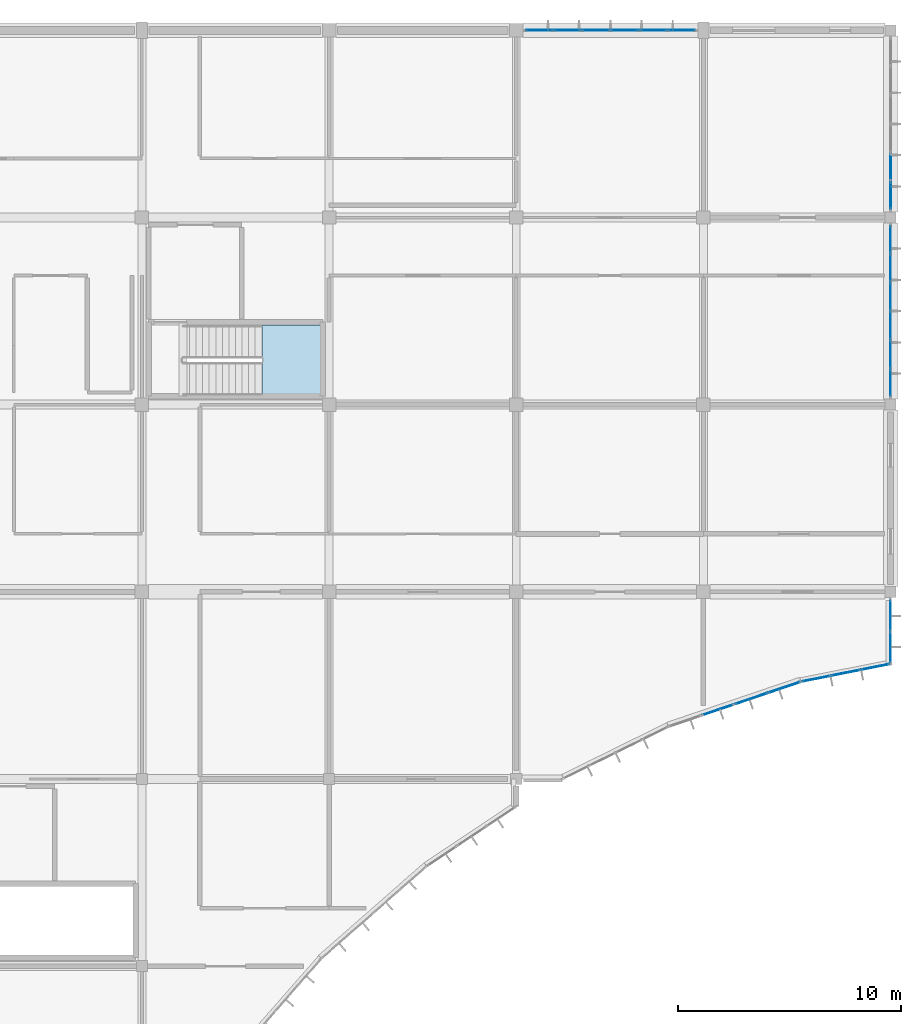
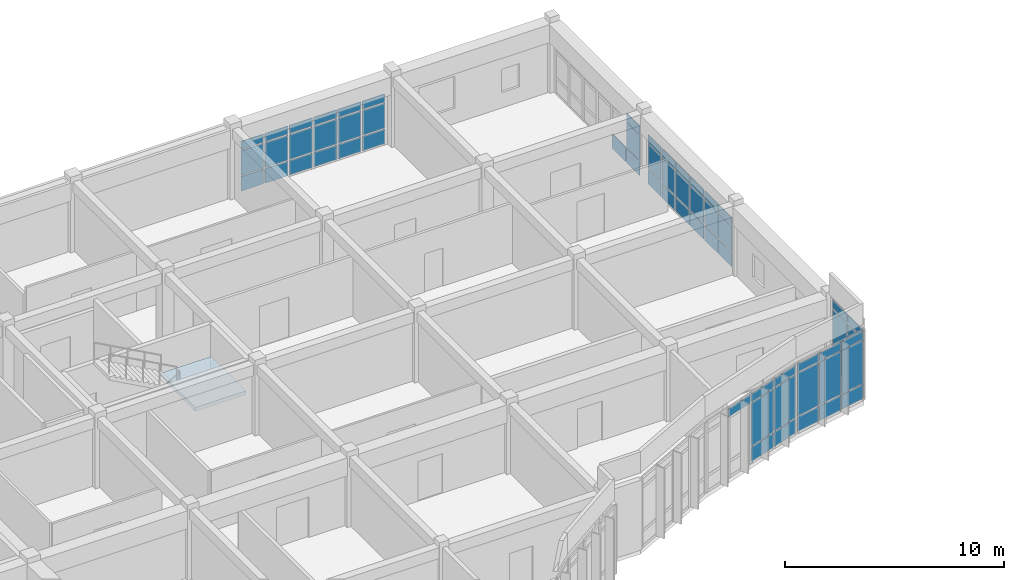
# One storey, part 74 of 119: 62 plates, 1 slab, 7 elements without a shape of their own.
"""IFC4 building model written with IfcOpenShell, lengths in metres."""

import ifcopenshell
import ifcopenshell.guid

model = None  # the IFC model being written
_history = None  # IfcOwnerHistory: only IFC2X3 demands one
_inside = {}  # id of a spatial element -> (the spatial element, [elements in it])
_under = {}  # id of a project, library or spatial element -> (it, [spatial elements below it])
_declared = {}  # id of a project -> (the project, [libraries it declares])
_typed = {}  # id of a type object -> (the type object, [elements of that type])
_made_of = {}  # id of a material, layer set ... -> (it, [elements and type objects made of it])


def new_model(schema):
    """Start an empty IFC model of exactly this schema.

    Asked for "IFC4X3", IfcOpenShell would pick the latest addendum, in which some entities
    have other attributes; the version numbers below select the first issue.
    IFC2X3 requires an IfcOwnerHistory on every rooted entity: one is made here for all.
    """
    global model, _history
    if schema == "IFC4X3":
        model = ifcopenshell.file(schema_version=(4, 3, 0, 0))
    else:
        model = ifcopenshell.file(schema=schema)
    _inside.clear()
    _under.clear()
    _declared.clear()
    _typed.clear()
    _made_of.clear()
    _history = None
    if model.schema == "IFC2X3":
        org = make("IfcOrganization", Name="unknown")
        user = make(
            "IfcPersonAndOrganization",
            ThePerson=make("IfcPerson", FamilyName="unknown"),
            TheOrganization=org,
        )
        app = make(
            "IfcApplication",
            ApplicationDeveloper=org,
            Version="unknown",
            ApplicationFullName="unknown",
            ApplicationIdentifier="unknown",
        )
        _history = make(
            "IfcOwnerHistory",
            OwningUser=user,
            OwningApplication=app,
            ChangeAction="ADDED",
            CreationDate=0,
        )
    return model


def make(cls, **values):
    """One entity of the class cls with the attributes given. An attribute that is None is left unset."""
    return model.create_entity(
        cls, **{name: value for name, value in values.items() if value is not None}
    )


def rooted(cls, **values):
    """An entity with a GlobalId (a new one), such as an element, a storey or a relation."""
    return make(cls, GlobalId=ifcopenshell.guid.new(), OwnerHistory=_history, **values)


def si_unit(unit_type, name, prefix=None):
    """IfcSIUnit, for example si_unit("LENGTHUNIT", "METRE", prefix="MILLI")."""
    return make("IfcSIUnit", UnitType=unit_type, Prefix=prefix, Name=name)


def assignment(units):
    """IfcUnitAssignment: the units of a project."""
    return None if units is None else make("IfcUnitAssignment", Units=units)


def point(xyz):
    """IfcCartesianPoint."""
    return None if xyz is None else make("IfcCartesianPoint", Coordinates=xyz)


def direction(xyz):
    """IfcDirection."""
    return None if xyz is None else make("IfcDirection", DirectionRatios=xyz)


def frame(location, z_axis=None, x_axis=None):
    """IfcAxis2Placement3D, a coordinate frame: its origin and axes. An axis left out is left unset."""
    return make(
        "IfcAxis2Placement3D",
        Location=point(location),
        Axis=direction(z_axis),
        RefDirection=direction(x_axis),
    )


def frame_2d(location, x_axis=None):
    """IfcAxis2Placement2D, a coordinate frame in the plane: its origin and x axis."""
    return make(
        "IfcAxis2Placement2D", Location=point(location), RefDirection=direction(x_axis)
    )


def origin():
    """The frame at (0, 0, 0) with its axes left unset."""
    return frame((0.0, 0.0, 0.0))


def origin_2d():
    """The frame at (0, 0) in the plane with its x axis left unset."""
    return frame_2d((0.0, 0.0))


def place(relative_to, where):
    """IfcLocalPlacement: puts the frame where relative to a parent placement (None: the world)."""
    return make(
        "IfcLocalPlacement", PlacementRelTo=relative_to, RelativePlacement=where
    )


def context(
    kind, dimensions, precision=None, world=None, true_north=None, identifier=None
):
    """IfcGeometricRepresentationContext, for example the 3D "Model" context."""
    return make(
        "IfcGeometricRepresentationContext",
        ContextIdentifier=identifier,
        ContextType=kind,
        CoordinateSpaceDimension=dimensions,
        Precision=precision,
        WorldCoordinateSystem=world,
        TrueNorth=true_north,
    )


def subcontext(parent, identifier, kind, view, scale=None):
    """IfcGeometricRepresentationSubContext, for example "Body" below "Model"."""
    return make(
        "IfcGeometricRepresentationSubContext",
        ContextIdentifier=identifier,
        ContextType=kind,
        ParentContext=parent,
        TargetScale=scale,
        TargetView=view,
    )


def project(units=None, contexts=None):
    """IfcProject with its units and contexts."""
    return rooted(
        "IfcProject",
        Name="project",
        RepresentationContexts=contexts,
        UnitsInContext=assignment(units),
    )


def spatial(cls, under=None, at=None, **own):
    """A site, building, storey or space (cls), placed at a placement, below another one or the project."""
    s = rooted(cls, ObjectPlacement=at, **own)
    if under is not None:
        _under.setdefault(under.id(), (under, []))[1].append(s)
    return s


def polyline(points):
    """IfcPolyline through the points."""
    return make("IfcPolyline", Points=[point(p) for p in points])


def profile(cls, at=None, kind="AREA", **sizes):
    """A parametric profile (cls). Its sizes go by their IFC names, for example OverallWidth=200.0."""
    return make(cls, ProfileType=kind, Position=at, **sizes)


def rectangle(**sizes):
    """IfcRectangleProfileDef."""
    return profile("IfcRectangleProfileDef", **sizes)


def outline(outer, holes=None, kind="AREA"):
    """IfcArbitraryClosedProfileDef: a profile drawn as a closed curve; with holes, ...WithVoids."""
    if holes is None:
        return make("IfcArbitraryClosedProfileDef", ProfileType=kind, OuterCurve=outer)
    return make(
        "IfcArbitraryProfileDefWithVoids",
        ProfileType=kind,
        OuterCurve=outer,
        InnerCurves=holes,
    )


def extrude(swept, where, along, depth):
    """IfcExtrudedAreaSolid: the profile swept, set in the frame where, extruded along a direction by depth."""
    return make(
        "IfcExtrudedAreaSolid",
        SweptArea=swept,
        Position=where,
        ExtrudedDirection=direction(along),
        Depth=depth,
    )


def shape(context_of_items, identifier, shape_type, items):
    """IfcShapeRepresentation: the items that make up one representation, for example the "Body"."""
    return make(
        "IfcShapeRepresentation",
        ContextOfItems=context_of_items,
        RepresentationIdentifier=identifier,
        RepresentationType=shape_type,
        Items=items,
    )


def material(Name=None, Category=None):
    """IfcMaterial."""
    return make("IfcMaterial", Name=Name, Category=Category)


def layer(
    of_material, thickness, ventilated=None, Name=None, Category=None, Priority=None
):
    """IfcMaterialLayer: one layer of a wall or slab, of a material (None: an air gap)."""
    return make(
        "IfcMaterialLayer",
        Material=of_material,
        LayerThickness=thickness,
        IsVentilated=ventilated,
        Name=Name,
        Category=Category,
        Priority=Priority,
    )


def layer_set(layers, Name=None):
    """IfcMaterialLayerSet."""
    return make("IfcMaterialLayerSet", MaterialLayers=layers, LayerSetName=Name)


def made_of(thing, what):
    """Note that an element or type object is made of a material, layer set ...; save() writes the relation."""
    if what is not None:
        _made_of.setdefault(what.id(), (what, []))[1].append(thing)
    return thing


def type_object(cls, material=None, **own):
    """A type object (cls), such as IfcWallType, which elements share."""
    return made_of(rooted(cls, **own), material)


def element(
    cls,
    number,
    at=None,
    inside=None,
    cuts=None,
    type_object=None,
    material=None,
    context=None,
    identifier="Body",
    shape_type=None,
    held_by="IfcProductDefinitionShape",
    body=None,
    shapes=None,
    **own,
):
    """One element of the class cls, such as IfcWall. Its Tag is "e" and its number.

    at: its placement. inside: the storey or other place that contains it. cuts: it is an
    opening in that element (IfcRelVoidsElement). A single representation is given by context,
    identifier, shape_type and body (its items); several are given by shapes. held_by: the class
    of the entity that holds the representations. save() writes the other relations.
    """
    e = rooted(cls, Tag="e%d" % number, ObjectPlacement=at, **own)
    if body is not None:
        shapes = [shape(context, identifier, shape_type, body)]
    if shapes is not None:
        e.Representation = make(held_by, Representations=shapes)
    if inside is not None:
        _inside.setdefault(inside.id(), (inside, []))[1].append(e)
    if cuts is not None:
        rooted(
            "IfcRelVoidsElement", RelatingBuildingElement=cuts, RelatedOpeningElement=e
        )
    if type_object is not None:
        _typed.setdefault(type_object.id(), (type_object, []))[1].append(e)
    return made_of(e, material)


def aggregate(whole, parts):
    """IfcRelAggregates: a whole, such as a stair, and the parts it consists of."""
    return rooted("IfcRelAggregates", RelatingObject=whole, RelatedObjects=parts)


def save(model, path):
    """Write the relations noted so far, then the file.

    IfcRelAggregates (storeys below a building ...), IfcRelContainedInSpatialStructure (elements
    in a storey), IfcRelDefinesByType, IfcRelAssociatesMaterial and IfcRelDeclares: one each for
    every whole, place, type object, material and project.
    """
    for whole, parts in _under.values():
        aggregate(whole, parts)
    for where, things in _inside.values():
        rooted(
            "IfcRelContainedInSpatialStructure",
            RelatedElements=things,
            RelatingStructure=where,
        )
    for kind, things in _typed.values():
        rooted("IfcRelDefinesByType", RelatedObjects=things, RelatingType=kind)
    for what, things in _made_of.values():
        rooted("IfcRelAssociatesMaterial", RelatedObjects=things, RelatingMaterial=what)
    for by, libraries in _declared.values():
        rooted("IfcRelDeclares", RelatingContext=by, RelatedDefinitions=libraries)
    model.write(path)


model = new_model("IFC4")

# Units and contexts
model_context = context("Model", 3, precision=1e-05, world=origin(), true_north=direction((0.0, 1.0)))
body_context = subcontext(model_context, "Body", "Model", "MODEL_VIEW")
ifc_project = project(units=[si_unit("LENGTHUNIT", "METRE"), si_unit("AREAUNIT", "SQUARE_METRE"), si_unit("VOLUMEUNIT", "CUBIC_METRE"), si_unit("PLANEANGLEUNIT", "RADIAN"), si_unit("MASSUNIT", "GRAM", prefix="KILO")], contexts=[model_context])

# Site, building, storey
site_placement = place(None, origin())
site = spatial("IfcSite", under=ifc_project, at=site_placement, CompositionType="ELEMENT")
building_placement = place(site_placement, origin())
building = spatial("IfcBuilding", under=site, at=building_placement, Name="Bramfleet General Hospital", CompositionType="ELEMENT")
storey_placement = place(building_placement, frame((0.0, 0.0, 14.39990234375)))
storey = spatial("IfcBuildingStorey", under=building, at=storey_placement, Name="L03", CompositionType="ELEMENT", Elevation=14.39990234375)

# Curtain wall, plates
ifc_material_1 = material(Name="Anodised aluminium and low-E triple glazing", Category="aluminium")
ifc_layer_1 = layer(ifc_material_1, 0.179931640625, Name="CWT-CW-05")
ifc_layer_set_1 = layer_set([ifc_layer_1], Name="Anodised aluminium and low-E triple glazing")
curtain_wall_type_1 = type_object("IfcCurtainWallType", Name="CWT-CW-05", PredefinedType="USERDEFINED", material=ifc_layer_set_1)
curtain_wall_1_placement = place(storey_placement, origin())
curtain_wall_1 = element("IfcCurtainWall", 1, at=curtain_wall_1_placement, inside=storey, type_object=curtain_wall_type_1, Name="L03 Curtain Wall 149", ObjectType="Unitised curtain wall", PredefinedType="USERDEFINED")
ifc_material_2 = material(Name="Low-E laminated safety glass", Category="glass")
ifc_layer_2 = layer(ifc_material_2, 0.028076171875, Name="CWP-GLZ-1")
ifc_layer_set_2 = layer_set([ifc_layer_2], Name="Low-E laminated safety glass")
plate_type_1 = type_object("IfcPlateType", Name="CWP-GLZ-1", PredefinedType="CURTAIN_PANEL", material=ifc_layer_set_2)
plate_1_placement = place(storey_placement, frame((168.0, 108.211669921875, 0.06494140625), z_axis=(0.0, 0.0, 1.0), x_axis=(0.0, -1.0, 0.0)))
plate_1 = element("IfcPlate", 2, at=plate_1_placement, type_object=plate_type_1, Name="CW-05 panel 1.1", PredefinedType="CURTAIN_PANEL", context=body_context, shape_type="SweptSolid", body=[
    extrude(rectangle(XDim=1.186767578125, YDim=0.028076171875, at=origin_2d()), origin(), (0.0, 0.0, 1.0), 0.802490234375),
])
plate_2_placement = place(storey_placement, frame((168.0, 108.211669921875, 0.9326171875), z_axis=(0.0, 0.0, 1.0), x_axis=(0.0, -1.0, 0.0)))
plate_2 = element("IfcPlate", 3, at=plate_2_placement, type_object=plate_type_1, Name="CW-05 panel 1.2", PredefinedType="CURTAIN_PANEL", context=body_context, shape_type="SweptSolid", body=[
    extrude(rectangle(XDim=1.186767578125, YDim=0.028076171875, at=origin_2d()), origin(), (0.0, 0.0, 1.0), 1.375),
])
plate_3_placement = place(storey_placement, frame((168.0, 108.211669921875, 2.37255859375), z_axis=(0.0, 0.0, 1.0), x_axis=(0.0, -1.0, 0.0)))
plate_3 = element("IfcPlate", 4, at=plate_3_placement, type_object=plate_type_1, Name="CW-05 panel 1.3", PredefinedType="CURTAIN_PANEL", context=body_context, shape_type="SweptSolid", body=[
    extrude(rectangle(XDim=1.186767578125, YDim=0.028076171875, at=origin_2d()), origin(), (0.0, 0.0, 1.0), 0.452392578125),
])
plate_4_placement = place(storey_placement, frame((168.0, 106.9375, 0.06494140625), z_axis=(0.0, 0.0, 1.0), x_axis=(0.0, -1.0, 0.0)))
plate_4 = element("IfcPlate", 5, at=plate_4_placement, type_object=plate_type_1, Name="CW-05 panel 2.1", PredefinedType="CURTAIN_PANEL", context=body_context, shape_type="SweptSolid", body=[
    extrude(rectangle(XDim=1.2216796875, YDim=0.028076171875, at=origin_2d()), origin(), (0.0, 0.0, 1.0), 0.802490234375),
])
plate_5_placement = place(storey_placement, frame((168.0, 106.9375, 0.9326171875), z_axis=(0.0, 0.0, 1.0), x_axis=(0.0, -1.0, 0.0)))
plate_5 = element("IfcPlate", 6, at=plate_5_placement, type_object=plate_type_1, Name="CW-05 panel 2.2", PredefinedType="CURTAIN_PANEL", context=body_context, shape_type="SweptSolid", body=[
    extrude(rectangle(XDim=1.2216796875, YDim=0.028076171875, at=origin_2d()), origin(), (0.0, 0.0, 1.0), 1.375),
])
plate_6_placement = place(storey_placement, frame((168.0, 106.9375, 2.37255859375), z_axis=(0.0, 0.0, 1.0), x_axis=(0.0, -1.0, 0.0)))
plate_6 = element("IfcPlate", 7, at=plate_6_placement, type_object=plate_type_1, Name="CW-05 panel 2.3", PredefinedType="CURTAIN_PANEL", context=body_context, shape_type="SweptSolid", body=[
    extrude(rectangle(XDim=1.2216796875, YDim=0.028076171875, at=origin_2d()), origin(), (0.0, 0.0, 1.0), 0.452392578125),
])
plate_7_placement = place(storey_placement, frame((168.0, 105.645751953125, 0.06494140625), z_axis=(0.0, 0.0, 1.0), x_axis=(0.0, -1.0, 0.0)))
plate_7 = element("IfcPlate", 8, at=plate_7_placement, type_object=plate_type_1, Name="CW-05 panel 3.1", PredefinedType="CURTAIN_PANEL", context=body_context, shape_type="SweptSolid", body=[
    extrude(rectangle(XDim=1.2216796875, YDim=0.028076171875, at=origin_2d()), origin(), (0.0, 0.0, 1.0), 0.802490234375),
])
plate_8_placement = place(storey_placement, frame((168.0, 105.645751953125, 0.9326171875), z_axis=(0.0, 0.0, 1.0), x_axis=(0.0, -1.0, 0.0)))
plate_8 = element("IfcPlate", 9, at=plate_8_placement, type_object=plate_type_1, Name="CW-05 panel 3.2", PredefinedType="CURTAIN_PANEL", context=body_context, shape_type="SweptSolid", body=[
    extrude(rectangle(XDim=1.2216796875, YDim=0.028076171875, at=origin_2d()), origin(), (0.0, 0.0, 1.0), 1.375),
])
plate_9_placement = place(storey_placement, frame((168.0, 105.645751953125, 2.37255859375), z_axis=(0.0, 0.0, 1.0), x_axis=(0.0, -1.0, 0.0)))
plate_9 = element("IfcPlate", 10, at=plate_9_placement, type_object=plate_type_1, Name="CW-05 panel 3.3", PredefinedType="CURTAIN_PANEL", context=body_context, shape_type="SweptSolid", body=[
    extrude(rectangle(XDim=1.2216796875, YDim=0.028076171875, at=origin_2d()), origin(), (0.0, 0.0, 1.0), 0.452392578125),
])
plate_10_placement = place(storey_placement, frame((168.0, 104.354248046875, 0.06494140625), z_axis=(0.0, 0.0, 1.0), x_axis=(0.0, -1.0, 0.0)))
plate_10 = element("IfcPlate", 11, at=plate_10_placement, type_object=plate_type_1, Name="CW-05 panel 4.1", PredefinedType="CURTAIN_PANEL", context=body_context, shape_type="SweptSolid", body=[
    extrude(rectangle(XDim=1.2216796875, YDim=0.028076171875, at=origin_2d()), origin(), (0.0, 0.0, 1.0), 0.802490234375),
])
plate_11_placement = place(storey_placement, frame((168.0, 104.354248046875, 0.9326171875), z_axis=(0.0, 0.0, 1.0), x_axis=(0.0, -1.0, 0.0)))
plate_11 = element("IfcPlate", 12, at=plate_11_placement, type_object=plate_type_1, Name="CW-05 panel 4.2", PredefinedType="CURTAIN_PANEL", context=body_context, shape_type="SweptSolid", body=[
    extrude(rectangle(XDim=1.2216796875, YDim=0.028076171875, at=origin_2d()), origin(), (0.0, 0.0, 1.0), 1.375),
])
plate_12_placement = place(storey_placement, frame((168.0, 104.354248046875, 2.37255859375), z_axis=(0.0, 0.0, 1.0), x_axis=(0.0, -1.0, 0.0)))
plate_12 = element("IfcPlate", 13, at=plate_12_placement, type_object=plate_type_1, Name="CW-05 panel 4.3", PredefinedType="CURTAIN_PANEL", context=body_context, shape_type="SweptSolid", body=[
    extrude(rectangle(XDim=1.2216796875, YDim=0.028076171875, at=origin_2d()), origin(), (0.0, 0.0, 1.0), 0.452392578125),
])
plate_13_placement = place(storey_placement, frame((168.0, 103.0625, 0.06494140625), z_axis=(0.0, 0.0, 1.0), x_axis=(0.0, -1.0, 0.0)))
plate_13 = element("IfcPlate", 14, at=plate_13_placement, type_object=plate_type_1, Name="CW-05 panel 5.1", PredefinedType="CURTAIN_PANEL", context=body_context, shape_type="SweptSolid", body=[
    extrude(rectangle(XDim=1.2216796875, YDim=0.028076171875, at=origin_2d()), origin(), (0.0, 0.0, 1.0), 0.802490234375),
])
plate_14_placement = place(storey_placement, frame((168.0, 103.0625, 0.9326171875), z_axis=(0.0, 0.0, 1.0), x_axis=(0.0, -1.0, 0.0)))
plate_14 = element("IfcPlate", 15, at=plate_14_placement, type_object=plate_type_1, Name="CW-05 panel 5.2", PredefinedType="CURTAIN_PANEL", context=body_context, shape_type="SweptSolid", body=[
    extrude(rectangle(XDim=1.2216796875, YDim=0.028076171875, at=origin_2d()), origin(), (0.0, 0.0, 1.0), 1.375),
])
plate_15_placement = place(storey_placement, frame((168.0, 103.0625, 2.37255859375), z_axis=(0.0, 0.0, 1.0), x_axis=(0.0, -1.0, 0.0)))
plate_15 = element("IfcPlate", 16, at=plate_15_placement, type_object=plate_type_1, Name="CW-05 panel 5.3", PredefinedType="CURTAIN_PANEL", context=body_context, shape_type="SweptSolid", body=[
    extrude(rectangle(XDim=1.2216796875, YDim=0.028076171875, at=origin_2d()), origin(), (0.0, 0.0, 1.0), 0.452392578125),
])
plate_16_placement = place(storey_placement, frame((168.0, 101.788330078125, 0.06494140625), z_axis=(0.0, 0.0, 1.0), x_axis=(0.0, -1.0, 0.0)))
plate_16 = element("IfcPlate", 17, at=plate_16_placement, type_object=plate_type_1, Name="CW-05 panel 6.1", PredefinedType="CURTAIN_PANEL", context=body_context, shape_type="SweptSolid", body=[
    extrude(rectangle(XDim=1.186767578125, YDim=0.028076171875, at=origin_2d()), origin(), (0.0, 0.0, 1.0), 0.802490234375),
])
plate_17_placement = place(storey_placement, frame((168.0, 101.788330078125, 0.9326171875), z_axis=(0.0, 0.0, 1.0), x_axis=(0.0, -1.0, 0.0)))
plate_17 = element("IfcPlate", 18, at=plate_17_placement, type_object=plate_type_1, Name="CW-05 panel 6.2", PredefinedType="CURTAIN_PANEL", context=body_context, shape_type="SweptSolid", body=[
    extrude(rectangle(XDim=1.186767578125, YDim=0.028076171875, at=origin_2d()), origin(), (0.0, 0.0, 1.0), 1.375),
])
plate_18_placement = place(storey_placement, frame((168.0, 101.788330078125, 2.37255859375), z_axis=(0.0, 0.0, 1.0), x_axis=(0.0, -1.0, 0.0)))
plate_18 = element("IfcPlate", 19, at=plate_18_placement, type_object=plate_type_1, Name="CW-05 panel 6.3", PredefinedType="CURTAIN_PANEL", context=body_context, shape_type="SweptSolid", body=[
    extrude(rectangle(XDim=1.186767578125, YDim=0.028076171875, at=origin_2d()), origin(), (0.0, 0.0, 1.0), 0.452392578125),
])
aggregate(curtain_wall_1, [plate_1, plate_2, plate_3, plate_4, plate_5, plate_6, plate_7, plate_8, plate_9, plate_10, plate_11, plate_12, plate_13, plate_14, plate_15, plate_16, plate_17, plate_18])

ifc_layer_3 = layer(ifc_material_1, 0.179931640625, Name="CWT-CW-06")
ifc_layer_set_3 = layer_set([ifc_layer_3], Name="Anodised aluminium and low-E triple glazing")
curtain_wall_type_2 = type_object("IfcCurtainWallType", Name="CWT-CW-06", PredefinedType="USERDEFINED", material=ifc_layer_set_3)
curtain_wall_2_placement = place(storey_placement, origin())
curtain_wall_2 = element("IfcCurtainWall", 20, at=curtain_wall_2_placement, inside=storey, type_object=curtain_wall_type_2, Name="L03 Curtain Wall 150", ObjectType="Unitised curtain wall", PredefinedType="USERDEFINED")
ifc_layer_4 = layer(ifc_material_2, 0.031982421875, Name="CWP-GLZ-2")
ifc_layer_set_4 = layer_set([ifc_layer_4], Name="Low-E laminated safety glass")
plate_type_2 = type_object("IfcPlateType", Name="CWP-GLZ-2", PredefinedType="CURTAIN_PANEL", material=ifc_layer_set_4)
plate_19_placement = place(storey_placement, frame((168.0, 91.330078125, 0.06494140625), z_axis=(0.0, 0.0, 1.0), x_axis=(0.0, -1.0, 0.0)))
plate_19 = element("IfcPlate", 21, at=plate_19_placement, type_object=plate_type_2, Name="CW-06 panel 1.1", PredefinedType="CURTAIN_PANEL", context=body_context, shape_type="SweptSolid", body=[
    extrude(rectangle(XDim=1.35009765625, YDim=0.031982421875, at=origin_2d()), origin(), (0.0, 0.0, 1.0), 0.802490234375),
])
plate_20_placement = place(storey_placement, frame((168.0, 91.330078125, 0.9326171875), z_axis=(0.0, 0.0, 1.0), x_axis=(0.0, -1.0, 0.0)))
plate_20 = element("IfcPlate", 22, at=plate_20_placement, type_object=plate_type_2, Name="CW-06 panel 1.2", PredefinedType="CURTAIN_PANEL", context=body_context, shape_type="SweptSolid", body=[
    extrude(rectangle(XDim=1.35009765625, YDim=0.031982421875, at=origin_2d()), origin(), (0.0, 0.0, 1.0), 2.375),
])
plate_21_placement = place(storey_placement, frame((168.0, 91.330078125, 3.37255859375), z_axis=(0.0, 0.0, 1.0), x_axis=(0.0, -1.0, 0.0)))
plate_21 = element("IfcPlate", 23, at=plate_21_placement, type_object=plate_type_2, Name="CW-06 panel 1.3", PredefinedType="CURTAIN_PANEL", context=body_context, shape_type="SweptSolid", body=[
    extrude(rectangle(XDim=1.35009765625, YDim=0.031982421875, at=origin_2d()), origin(), (0.0, 0.0, 1.0), 0.452392578125),
])
plate_22_placement = place(storey_placement, frame((168.0, 89.909912109375, 0.06494140625), z_axis=(0.0, 0.0, 1.0), x_axis=(0.0, -1.0, 0.0)))
plate_22 = element("IfcPlate", 24, at=plate_22_placement, type_object=plate_type_2, Name="CW-06 panel 2.1", PredefinedType="CURTAIN_PANEL", context=body_context, shape_type="SweptSolid", body=[
    extrude(rectangle(XDim=1.35009765625, YDim=0.031982421875, at=origin_2d()), origin(), (0.0, 0.0, 1.0), 0.802490234375),
])
plate_23_placement = place(storey_placement, frame((168.0, 89.909912109375, 0.9326171875), z_axis=(0.0, 0.0, 1.0), x_axis=(0.0, -1.0, 0.0)))
plate_23 = element("IfcPlate", 25, at=plate_23_placement, type_object=plate_type_2, Name="CW-06 panel 2.2", PredefinedType="CURTAIN_PANEL", context=body_context, shape_type="SweptSolid", body=[
    extrude(rectangle(XDim=1.35009765625, YDim=0.031982421875, at=origin_2d()), origin(), (0.0, 0.0, 1.0), 2.375),
])
plate_24_placement = place(storey_placement, frame((168.0, 89.909912109375, 3.37255859375), z_axis=(0.0, 0.0, 1.0), x_axis=(0.0, -1.0, 0.0)))
plate_24 = element("IfcPlate", 26, at=plate_24_placement, type_object=plate_type_2, Name="CW-06 panel 2.3", PredefinedType="CURTAIN_PANEL", context=body_context, shape_type="SweptSolid", body=[
    extrude(rectangle(XDim=1.35009765625, YDim=0.031982421875, at=origin_2d()), origin(), (0.0, 0.0, 1.0), 0.452392578125),
])
aggregate(curtain_wall_2, [plate_19, plate_20, plate_21, plate_22, plate_23, plate_24])

ifc_layer_5 = layer(ifc_material_1, 0.179931640625, Name="CWT-CW-03")
ifc_layer_set_5 = layer_set([ifc_layer_5], Name="Anodised aluminium and low-E triple glazing")
curtain_wall_type_3 = type_object("IfcCurtainWallType", Name="CWT-CW-03", PredefinedType="USERDEFINED", material=ifc_layer_set_5)
curtain_wall_3_placement = place(storey_placement, origin())
curtain_wall_3 = element("IfcCurtainWall", 27, at=curtain_wall_3_placement, inside=storey, type_object=curtain_wall_type_3, Name="L03 Curtain Wall 147", ObjectType="Unitised curtain wall", PredefinedType="USERDEFINED")
ifc_layer_6 = layer(ifc_material_2, 0.035888671875, Name="CWP-GLZ-3")
ifc_layer_set_6 = layer_set([ifc_layer_6], Name="Low-E laminated safety glass")
plate_type_3 = type_object("IfcPlateType", Name="CWP-GLZ-3", PredefinedType="CURTAIN_PANEL", material=ifc_layer_set_6)
plate_25_placement = place(storey_placement, frame((152.234130859375, 117.60009765625, 0.06494140625), z_axis=(0.0, 0.0, 1.0), x_axis=(1.0, 0.0, 0.0)))
plate_25 = element("IfcPlate", 28, at=plate_25_placement, type_object=plate_type_3, Name="CW-03 panel 1.1", PredefinedType="CURTAIN_PANEL", context=body_context, shape_type="SweptSolid", body=[
    extrude(rectangle(XDim=1.17822265625, YDim=0.035888671875, at=origin_2d()), origin(), (0.0, 0.0, 1.0), 0.802490234375),
])
plate_26_placement = place(storey_placement, frame((152.234130859375, 117.60009765625, 0.9326171875), z_axis=(0.0, 0.0, 1.0), x_axis=(1.0, 0.0, 0.0)))
plate_26 = element("IfcPlate", 29, at=plate_26_placement, type_object=plate_type_3, Name="CW-03 panel 1.2", PredefinedType="CURTAIN_PANEL", context=body_context, shape_type="SweptSolid", body=[
    extrude(rectangle(XDim=1.17822265625, YDim=0.035888671875, at=origin_2d()), origin(), (0.0, 0.0, 1.0), 1.375),
])
plate_27_placement = place(storey_placement, frame((152.234130859375, 117.60009765625, 2.37255859375), z_axis=(0.0, 0.0, 1.0), x_axis=(1.0, 0.0, 0.0)))
plate_27 = element("IfcPlate", 30, at=plate_27_placement, type_object=plate_type_3, Name="CW-03 panel 1.3", PredefinedType="CURTAIN_PANEL", context=body_context, shape_type="SweptSolid", body=[
    extrude(rectangle(XDim=1.17822265625, YDim=0.035888671875, at=origin_2d()), origin(), (0.0, 0.0, 1.0), 0.452392578125),
])
plate_28_placement = place(storey_placement, frame((153.5, 117.60009765625, 0.06494140625), z_axis=(0.0, 0.0, 1.0), x_axis=(1.0, 0.0, 0.0)))
plate_28 = element("IfcPlate", 31, at=plate_28_placement, type_object=plate_type_3, Name="CW-03 panel 2.1", PredefinedType="CURTAIN_PANEL", context=body_context, shape_type="SweptSolid", body=[
    extrude(rectangle(XDim=1.21337890625, YDim=0.035888671875, at=origin_2d()), origin(), (0.0, 0.0, 1.0), 0.802490234375),
])
plate_29_placement = place(storey_placement, frame((153.5, 117.60009765625, 0.9326171875), z_axis=(0.0, 0.0, 1.0), x_axis=(1.0, 0.0, 0.0)))
plate_29 = element("IfcPlate", 32, at=plate_29_placement, type_object=plate_type_3, Name="CW-03 panel 2.2", PredefinedType="CURTAIN_PANEL", context=body_context, shape_type="SweptSolid", body=[
    extrude(rectangle(XDim=1.21337890625, YDim=0.035888671875, at=origin_2d()), origin(), (0.0, 0.0, 1.0), 1.375),
])
plate_30_placement = place(storey_placement, frame((153.5, 117.60009765625, 2.37255859375), z_axis=(0.0, 0.0, 1.0), x_axis=(1.0, 0.0, 0.0)))
plate_30 = element("IfcPlate", 33, at=plate_30_placement, type_object=plate_type_3, Name="CW-03 panel 2.3", PredefinedType="CURTAIN_PANEL", context=body_context, shape_type="SweptSolid", body=[
    extrude(rectangle(XDim=1.21337890625, YDim=0.035888671875, at=origin_2d()), origin(), (0.0, 0.0, 1.0), 0.452392578125),
])
plate_31_placement = place(storey_placement, frame((154.783447265625, 117.60009765625, 0.06494140625), z_axis=(0.0, 0.0, 1.0), x_axis=(1.0, 0.0, 0.0)))
plate_31 = element("IfcPlate", 34, at=plate_31_placement, type_object=plate_type_3, Name="CW-03 panel 3.1", PredefinedType="CURTAIN_PANEL", context=body_context, shape_type="SweptSolid", body=[
    extrude(rectangle(XDim=1.21337890625, YDim=0.035888671875, at=origin_2d()), origin(), (0.0, 0.0, 1.0), 0.802490234375),
])
plate_32_placement = place(storey_placement, frame((154.783447265625, 117.60009765625, 0.9326171875), z_axis=(0.0, 0.0, 1.0), x_axis=(1.0, 0.0, 0.0)))
plate_32 = element("IfcPlate", 35, at=plate_32_placement, type_object=plate_type_3, Name="CW-03 panel 3.2", PredefinedType="CURTAIN_PANEL", context=body_context, shape_type="SweptSolid", body=[
    extrude(rectangle(XDim=1.21337890625, YDim=0.035888671875, at=origin_2d()), origin(), (0.0, 0.0, 1.0), 1.375),
])
plate_33_placement = place(storey_placement, frame((154.783447265625, 117.60009765625, 2.37255859375), z_axis=(0.0, 0.0, 1.0), x_axis=(1.0, 0.0, 0.0)))
plate_33 = element("IfcPlate", 36, at=plate_33_placement, type_object=plate_type_3, Name="CW-03 panel 3.3", PredefinedType="CURTAIN_PANEL", context=body_context, shape_type="SweptSolid", body=[
    extrude(rectangle(XDim=1.21337890625, YDim=0.035888671875, at=origin_2d()), origin(), (0.0, 0.0, 1.0), 0.452392578125),
])
plate_34_placement = place(storey_placement, frame((156.066650390625, 117.60009765625, 0.06494140625), z_axis=(0.0, 0.0, 1.0), x_axis=(1.0, 0.0, 0.0)))
plate_34 = element("IfcPlate", 37, at=plate_34_placement, type_object=plate_type_3, Name="CW-03 panel 4.1", PredefinedType="CURTAIN_PANEL", context=body_context, shape_type="SweptSolid", body=[
    extrude(rectangle(XDim=1.21337890625, YDim=0.035888671875, at=origin_2d()), origin(), (0.0, 0.0, 1.0), 0.802490234375),
])
plate_35_placement = place(storey_placement, frame((156.066650390625, 117.60009765625, 0.9326171875), z_axis=(0.0, 0.0, 1.0), x_axis=(1.0, 0.0, 0.0)))
plate_35 = element("IfcPlate", 38, at=plate_35_placement, type_object=plate_type_3, Name="CW-03 panel 4.2", PredefinedType="CURTAIN_PANEL", context=body_context, shape_type="SweptSolid", body=[
    extrude(rectangle(XDim=1.21337890625, YDim=0.035888671875, at=origin_2d()), origin(), (0.0, 0.0, 1.0), 1.375),
])
plate_36_placement = place(storey_placement, frame((156.066650390625, 117.60009765625, 2.37255859375), z_axis=(0.0, 0.0, 1.0), x_axis=(1.0, 0.0, 0.0)))
plate_36 = element("IfcPlate", 39, at=plate_36_placement, type_object=plate_type_3, Name="CW-03 panel 4.3", PredefinedType="CURTAIN_PANEL", context=body_context, shape_type="SweptSolid", body=[
    extrude(rectangle(XDim=1.21337890625, YDim=0.035888671875, at=origin_2d()), origin(), (0.0, 0.0, 1.0), 0.452392578125),
])
plate_37_placement = place(storey_placement, frame((157.35009765625, 117.60009765625, 0.06494140625), z_axis=(0.0, 0.0, 1.0), x_axis=(1.0, 0.0, 0.0)))
plate_37 = element("IfcPlate", 40, at=plate_37_placement, type_object=plate_type_3, Name="CW-03 panel 5.1", PredefinedType="CURTAIN_PANEL", context=body_context, shape_type="SweptSolid", body=[
    extrude(rectangle(XDim=1.21337890625, YDim=0.035888671875, at=origin_2d()), origin(), (0.0, 0.0, 1.0), 0.802490234375),
])
plate_38_placement = place(storey_placement, frame((157.35009765625, 117.60009765625, 0.9326171875), z_axis=(0.0, 0.0, 1.0), x_axis=(1.0, 0.0, 0.0)))
plate_38 = element("IfcPlate", 41, at=plate_38_placement, type_object=plate_type_3, Name="CW-03 panel 5.2", PredefinedType="CURTAIN_PANEL", context=body_context, shape_type="SweptSolid", body=[
    extrude(rectangle(XDim=1.21337890625, YDim=0.035888671875, at=origin_2d()), origin(), (0.0, 0.0, 1.0), 1.375),
])
plate_39_placement = place(storey_placement, frame((157.35009765625, 117.60009765625, 2.37255859375), z_axis=(0.0, 0.0, 1.0), x_axis=(1.0, 0.0, 0.0)))
plate_39 = element("IfcPlate", 42, at=plate_39_placement, type_object=plate_type_3, Name="CW-03 panel 5.3", PredefinedType="CURTAIN_PANEL", context=body_context, shape_type="SweptSolid", body=[
    extrude(rectangle(XDim=1.21337890625, YDim=0.035888671875, at=origin_2d()), origin(), (0.0, 0.0, 1.0), 0.452392578125),
])
plate_40_placement = place(storey_placement, frame((158.61572265625, 117.60009765625, 0.06494140625), z_axis=(0.0, 0.0, 1.0), x_axis=(1.0, 0.0, 0.0)))
plate_40 = element("IfcPlate", 43, at=plate_40_placement, type_object=plate_type_3, Name="CW-03 panel 6.1", PredefinedType="CURTAIN_PANEL", context=body_context, shape_type="SweptSolid", body=[
    extrude(rectangle(XDim=1.17822265625, YDim=0.035888671875, at=origin_2d()), origin(), (0.0, 0.0, 1.0), 0.802490234375),
])
plate_41_placement = place(storey_placement, frame((158.61572265625, 117.60009765625, 0.9326171875), z_axis=(0.0, 0.0, 1.0), x_axis=(1.0, 0.0, 0.0)))
plate_41 = element("IfcPlate", 44, at=plate_41_placement, type_object=plate_type_3, Name="CW-03 panel 6.2", PredefinedType="CURTAIN_PANEL", context=body_context, shape_type="SweptSolid", body=[
    extrude(rectangle(XDim=1.17822265625, YDim=0.035888671875, at=origin_2d()), origin(), (0.0, 0.0, 1.0), 1.375),
])
plate_42_placement = place(storey_placement, frame((158.61572265625, 117.60009765625, 2.37255859375), z_axis=(0.0, 0.0, 1.0), x_axis=(1.0, 0.0, 0.0)))
plate_42 = element("IfcPlate", 45, at=plate_42_placement, type_object=plate_type_3, Name="CW-03 panel 6.3", PredefinedType="CURTAIN_PANEL", context=body_context, shape_type="SweptSolid", body=[
    extrude(rectangle(XDim=1.17822265625, YDim=0.035888671875, at=origin_2d()), origin(), (0.0, 0.0, 1.0), 0.452392578125),
])
aggregate(curtain_wall_3, [plate_25, plate_26, plate_27, plate_28, plate_29, plate_30, plate_31, plate_32, plate_33, plate_34, plate_35, plate_36, plate_37, plate_38, plate_39, plate_40, plate_41, plate_42])

ifc_layer_7 = layer(ifc_material_1, 0.179931640625, Name="CWT-CW-07")
ifc_layer_set_7 = layer_set([ifc_layer_7], Name="Anodised aluminium and low-E triple glazing")
curtain_wall_type_4 = type_object("IfcCurtainWallType", Name="CWT-CW-07", PredefinedType="USERDEFINED", material=ifc_layer_set_7)
curtain_wall_4_placement = place(storey_placement, origin())
curtain_wall_4 = element("IfcCurtainWall", 46, at=curtain_wall_4_placement, inside=storey, type_object=curtain_wall_type_4, Name="L03 Curtain Wall 151", ObjectType="Unitised curtain wall", PredefinedType="USERDEFINED")
plate_43_placement = place(storey_placement, frame((167.312255859375, 89.028076171875, 0.06494140625), z_axis=(0.0, 0.0, 1.0), x_axis=(-0.980749087161, -0.195272189606, 0.0)))
plate_43 = element("IfcPlate", 47, at=plate_43_placement, type_object=plate_type_3, Name="CW-07 panel 1.1", PredefinedType="CURTAIN_PANEL", context=body_context, shape_type="SweptSolid", body=[
    extrude(rectangle(XDim=1.26220703125, YDim=0.035888671875, at=origin_2d()), origin(), (0.0, 0.0, 1.0), 0.802490234375),
])
plate_44_placement = place(storey_placement, frame((167.312255859375, 89.028076171875, 0.9326171875), z_axis=(0.0, 0.0, 1.0), x_axis=(-0.980749087161, -0.195272189606, 0.0)))
plate_44 = element("IfcPlate", 48, at=plate_44_placement, type_object=plate_type_3, Name="CW-07 panel 1.2", PredefinedType="CURTAIN_PANEL", context=body_context, shape_type="SweptSolid", body=[
    extrude(rectangle(XDim=1.26220703125, YDim=0.035888671875, at=origin_2d()), origin(), (0.0, 0.0, 1.0), 2.375),
])
plate_45_placement = place(storey_placement, frame((167.312255859375, 89.028076171875, 3.37255859375), z_axis=(0.0, 0.0, 1.0), x_axis=(-0.980749087161, -0.195272189606, 0.0)))
plate_45 = element("IfcPlate", 49, at=plate_45_placement, type_object=plate_type_3, Name="CW-07 panel 1.3", PredefinedType="CURTAIN_PANEL", context=body_context, shape_type="SweptSolid", body=[
    extrude(rectangle(XDim=1.26220703125, YDim=0.035888671875, at=origin_2d()), origin(), (0.0, 0.0, 1.0), 0.452392578125),
])
plate_46_placement = place(storey_placement, frame((165.988525390625, 88.764404296875, 0.06494140625), z_axis=(0.0, 0.0, 1.0), x_axis=(-0.980749087161, -0.195272189606, 0.0)))
plate_46 = element("IfcPlate", 50, at=plate_46_placement, type_object=plate_type_3, Name="CW-07 panel 2.1", PredefinedType="CURTAIN_PANEL", context=body_context, shape_type="SweptSolid", body=[
    extrude(rectangle(XDim=1.29736328125, YDim=0.035888671875, at=origin_2d()), origin(), (0.0, 0.0, 1.0), 0.802490234375),
])
plate_47_placement = place(storey_placement, frame((165.988525390625, 88.764404296875, 0.9326171875), z_axis=(0.0, 0.0, 1.0), x_axis=(-0.980749087161, -0.195272189606, 0.0)))
plate_47 = element("IfcPlate", 51, at=plate_47_placement, type_object=plate_type_3, Name="CW-07 panel 2.2", PredefinedType="CURTAIN_PANEL", context=body_context, shape_type="SweptSolid", body=[
    extrude(rectangle(XDim=1.29736328125, YDim=0.035888671875, at=origin_2d()), origin(), (0.0, 0.0, 1.0), 2.375),
])
plate_48_placement = place(storey_placement, frame((165.988525390625, 88.764404296875, 3.37255859375), z_axis=(0.0, 0.0, 1.0), x_axis=(-0.980749087161, -0.195272189606, 0.0)))
plate_48 = element("IfcPlate", 52, at=plate_48_placement, type_object=plate_type_3, Name="CW-07 panel 2.3", PredefinedType="CURTAIN_PANEL", context=body_context, shape_type="SweptSolid", body=[
    extrude(rectangle(XDim=1.29736328125, YDim=0.035888671875, at=origin_2d()), origin(), (0.0, 0.0, 1.0), 0.452392578125),
])
plate_49_placement = place(storey_placement, frame((164.66455078125, 88.5009765625, 0.06494140625), z_axis=(0.0, 0.0, 1.0), x_axis=(-0.980749087161, -0.195272189606, 0.0)))
plate_49 = element("IfcPlate", 53, at=plate_49_placement, type_object=plate_type_3, Name="CW-07 panel 3.1", PredefinedType="CURTAIN_PANEL", context=body_context, shape_type="SweptSolid", body=[
    extrude(rectangle(XDim=1.26220703125, YDim=0.035888671875, at=origin_2d()), origin(), (0.0, 0.0, 1.0), 0.802490234375),
])
plate_50_placement = place(storey_placement, frame((164.66455078125, 88.5009765625, 0.9326171875), z_axis=(0.0, 0.0, 1.0), x_axis=(-0.980749087161, -0.195272189606, 0.0)))
plate_50 = element("IfcPlate", 54, at=plate_50_placement, type_object=plate_type_3, Name="CW-07 panel 3.2", PredefinedType="CURTAIN_PANEL", context=body_context, shape_type="SweptSolid", body=[
    extrude(rectangle(XDim=1.26220703125, YDim=0.035888671875, at=origin_2d()), origin(), (0.0, 0.0, 1.0), 2.375),
])
plate_51_placement = place(storey_placement, frame((164.66455078125, 88.5009765625, 3.37255859375), z_axis=(0.0, 0.0, 1.0), x_axis=(-0.980749087161, -0.195272189606, 0.0)))
plate_51 = element("IfcPlate", 55, at=plate_51_placement, type_object=plate_type_3, Name="CW-07 panel 3.3", PredefinedType="CURTAIN_PANEL", context=body_context, shape_type="SweptSolid", body=[
    extrude(rectangle(XDim=1.26220703125, YDim=0.035888671875, at=origin_2d()), origin(), (0.0, 0.0, 1.0), 0.452392578125),
])
aggregate(curtain_wall_4, [plate_43, plate_44, plate_45, plate_46, plate_47, plate_48, plate_49, plate_50, plate_51])

ifc_layer_8 = layer(ifc_material_1, 0.179931640625, Name="CWT-CW-04")
ifc_layer_set_8 = layer_set([ifc_layer_8], Name="Anodised aluminium and low-E triple glazing")
curtain_wall_type_5 = type_object("IfcCurtainWallType", Name="CWT-CW-04", PredefinedType="USERDEFINED", material=ifc_layer_set_8)
curtain_wall_5_placement = place(storey_placement, origin())
curtain_wall_5 = element("IfcCurtainWall", 56, at=curtain_wall_5_placement, inside=storey, type_object=curtain_wall_type_5, Name="L03 Curtain Wall 148", ObjectType="Unitised curtain wall", PredefinedType="USERDEFINED")
ifc_layer_9 = layer(ifc_material_2, 0.0419921875, Name="CWP-GLZ-4")
ifc_layer_set_9 = layer_set([ifc_layer_9], Name="Low-E laminated safety glass")
plate_type_4 = type_object("IfcPlateType", Name="CWP-GLZ-4", PredefinedType="CURTAIN_PANEL", material=ifc_layer_set_9)
plate_52_placement = place(storey_placement, frame((168.0, 111.46240234375, 0.06494140625), z_axis=(0.0, 0.0, 1.0), x_axis=(0.0, -1.0, 0.0)))
plate_52 = element("IfcPlate", 57, at=plate_52_placement, type_object=plate_type_4, Name="CW-04 panel 5.1", PredefinedType="CURTAIN_PANEL", context=body_context, shape_type="SweptSolid", body=[
    extrude(rectangle(XDim=1.2216796875, YDim=0.0419921875, at=origin_2d()), origin(), (0.0, 0.0, 1.0), 0.802490234375),
])
plate_53_placement = place(storey_placement, frame((168.0, 110.188232421875, 0.06494140625), z_axis=(0.0, 0.0, 1.0), x_axis=(0.0, -1.0, 0.0)))
plate_53 = element("IfcPlate", 58, at=plate_53_placement, type_object=plate_type_4, Name="CW-04 panel 6.1", PredefinedType="CURTAIN_PANEL", context=body_context, shape_type="SweptSolid", body=[
    extrude(rectangle(XDim=1.186767578125, YDim=0.0419921875, at=origin_2d()), origin(), (0.0, 0.0, 1.0), 0.802490234375),
])
plate_54_placement = place(storey_placement, frame((168.0, 110.188232421875, 0.9326171875), z_axis=(0.0, 0.0, 1.0), x_axis=(0.0, -1.0, 0.0)))
plate_54 = element("IfcPlate", 59, at=plate_54_placement, type_object=plate_type_4, Name="CW-04 panel 6.2", PredefinedType="CURTAIN_PANEL", context=body_context, shape_type="SweptSolid", body=[
    extrude(rectangle(XDim=1.186767578125, YDim=0.0419921875, at=origin_2d()), origin(), (0.0, 0.0, 1.0), 1.375),
])
plate_55_placement = place(storey_placement, frame((168.0, 110.188232421875, 2.37255859375), z_axis=(0.0, 0.0, 1.0), x_axis=(0.0, -1.0, 0.0)))
plate_55 = element("IfcPlate", 60, at=plate_55_placement, type_object=plate_type_4, Name="CW-04 panel 6.3", PredefinedType="CURTAIN_PANEL", context=body_context, shape_type="SweptSolid", body=[
    extrude(rectangle(XDim=1.186767578125, YDim=0.0419921875, at=origin_2d()), origin(), (0.0, 0.0, 1.0), 0.452392578125),
])
aggregate(curtain_wall_5, [plate_52, plate_53, plate_54, plate_55])

ifc_layer_10 = layer(ifc_material_1, 0.179931640625, Name="CWT-CW-08")
ifc_layer_set_10 = layer_set([ifc_layer_10], Name="Anodised aluminium and low-E triple glazing")
curtain_wall_type_6 = type_object("IfcCurtainWallType", Name="CWT-CW-08", PredefinedType="USERDEFINED", material=ifc_layer_set_10)
curtain_wall_6_placement = place(storey_placement, origin())
curtain_wall_6 = element("IfcCurtainWall", 61, at=curtain_wall_6_placement, inside=storey, type_object=curtain_wall_type_6, Name="L03 Curtain Wall 152", ObjectType="Unitised curtain wall", PredefinedType="USERDEFINED")
plate_56_placement = place(storey_placement, frame((163.21728515625, 88.106201171875, 0.06494140625), z_axis=(0.0, 0.0, 1.0), x_axis=(-0.946949276617, -0.321383054181, 0.0)))
plate_56 = element("IfcPlate", 62, at=plate_56_placement, type_object=plate_type_4, Name="CW-08 panel 1.1", PredefinedType="CURTAIN_PANEL", context=body_context, shape_type="SweptSolid", body=[
    extrude(rectangle(XDim=1.46484375, YDim=0.0419921875, at=origin_2d()), origin(), (0.0, 0.0, 1.0), 0.802490234375),
])
plate_57_placement = place(storey_placement, frame((163.21728515625, 88.106201171875, 0.9326171875), z_axis=(0.0, 0.0, 1.0), x_axis=(-0.946949276617, -0.321383054181, 0.0)))
plate_57 = element("IfcPlate", 63, at=plate_57_placement, type_object=plate_type_4, Name="CW-08 panel 1.2", PredefinedType="CURTAIN_PANEL", context=body_context, shape_type="SweptSolid", body=[
    extrude(rectangle(XDim=1.46484375, YDim=0.0419921875, at=origin_2d()), origin(), (0.0, 0.0, 1.0), 2.375),
])
plate_58_placement = place(storey_placement, frame((163.21728515625, 88.106201171875, 3.37255859375), z_axis=(0.0, 0.0, 1.0), x_axis=(-0.946949276617, -0.321383054181, 0.0)))
plate_58 = element("IfcPlate", 64, at=plate_58_placement, type_object=plate_type_4, Name="CW-08 panel 1.3", PredefinedType="CURTAIN_PANEL", context=body_context, shape_type="SweptSolid", body=[
    extrude(rectangle(XDim=1.46484375, YDim=0.0419921875, at=origin_2d()), origin(), (0.0, 0.0, 1.0), 0.452392578125),
])
plate_59_placement = place(storey_placement, frame((161.747314453125, 87.607177734375, 0.06494140625), z_axis=(0.0, 0.0, 1.0), x_axis=(-0.946949276617, -0.321383054181, 0.0)))
plate_59 = element("IfcPlate", 65, at=plate_59_placement, type_object=plate_type_4, Name="CW-08 panel 2.1", PredefinedType="CURTAIN_PANEL", context=body_context, shape_type="SweptSolid", body=[
    extrude(rectangle(XDim=1.499755859375, YDim=0.0419921875, at=origin_2d()), origin(), (0.0, 0.0, 1.0), 0.802490234375),
])
plate_60_placement = place(storey_placement, frame((161.747314453125, 87.607177734375, 0.9326171875), z_axis=(0.0, 0.0, 1.0), x_axis=(-0.946949276617, -0.321383054181, 0.0)))
plate_60 = element("IfcPlate", 66, at=plate_60_placement, type_object=plate_type_4, Name="CW-08 panel 2.2", PredefinedType="CURTAIN_PANEL", context=body_context, shape_type="SweptSolid", body=[
    extrude(rectangle(XDim=1.499755859375, YDim=0.0419921875, at=origin_2d()), origin(), (0.0, 0.0, 1.0), 2.375),
])
plate_61_placement = place(storey_placement, frame((161.747314453125, 87.607177734375, 3.37255859375), z_axis=(0.0, 0.0, 1.0), x_axis=(-0.946949276617, -0.321383054181, 0.0)))
plate_61 = element("IfcPlate", 67, at=plate_61_placement, type_object=plate_type_4, Name="CW-08 panel 2.3", PredefinedType="CURTAIN_PANEL", context=body_context, shape_type="SweptSolid", body=[
    extrude(rectangle(XDim=1.499755859375, YDim=0.0419921875, at=origin_2d()), origin(), (0.0, 0.0, 1.0), 0.452392578125),
])
plate_62_placement = place(storey_placement, frame((160.2607421875, 87.102783203125, 3.37255859375), z_axis=(0.0, 0.0, 1.0), x_axis=(-0.946949276617, -0.321383054181, 0.0)))
plate_62 = element("IfcPlate", 68, at=plate_62_placement, type_object=plate_type_4, Name="CW-08 panel 3.3", PredefinedType="CURTAIN_PANEL", context=body_context, shape_type="SweptSolid", body=[
    extrude(rectangle(XDim=1.499755859375, YDim=0.0419921875, at=origin_2d()), origin(), (0.0, 0.0, 1.0), 0.452392578125),
])
aggregate(curtain_wall_6, [plate_56, plate_57, plate_58, plate_59, plate_60, plate_61, plate_62])

# Stair, slab
ifc_material_3 = material(Name="Concrete C35/45", Category="concrete")
stair_type = type_object("IfcStairType", Name="STR-T3", PredefinedType="HALF_TURN_STAIR", material=ifc_material_3)
stair_placement = place(storey_placement, origin())
stair = element("IfcStair", 69, at=stair_placement, inside=storey, type_object=stair_type, Name="L03 Core C9 (North-East Ward & Diagnostic Escape) Protected Escape Stair", PredefinedType="HALF_TURN_STAIR")
ifc_layer_11 = layer(ifc_material_3, 0.199951171875, Name="SL-LND-200")
ifc_layer_set_11 = layer_set([ifc_layer_11], Name="Concrete C35/45")
slab_type = type_object("IfcSlabType", Name="SL-LND-200", PredefinedType="LANDING", material=ifc_layer_set_11)
slab_placement = place(storey_placement, frame((0.0, 0.0, 1.900146484375)))
slab = element("IfcSlab", 70, at=slab_placement, type_object=slab_type, Name="ST-C9 landing 1", PredefinedType="LANDING", context=body_context, shape_type="SweptSolid", body=[
    extrude(outline(polyline([(139.780029296875, 101.219970703125), (142.4599609375, 101.219970703125), (142.4599609375, 104.3798828125), (139.780029296875, 104.3798828125), (139.780029296875, 101.219970703125)])), origin(), (0.0, 0.0, 1.0), 0.199951171875),
])
aggregate(stair, [slab])

save(model, "model.ifc")
